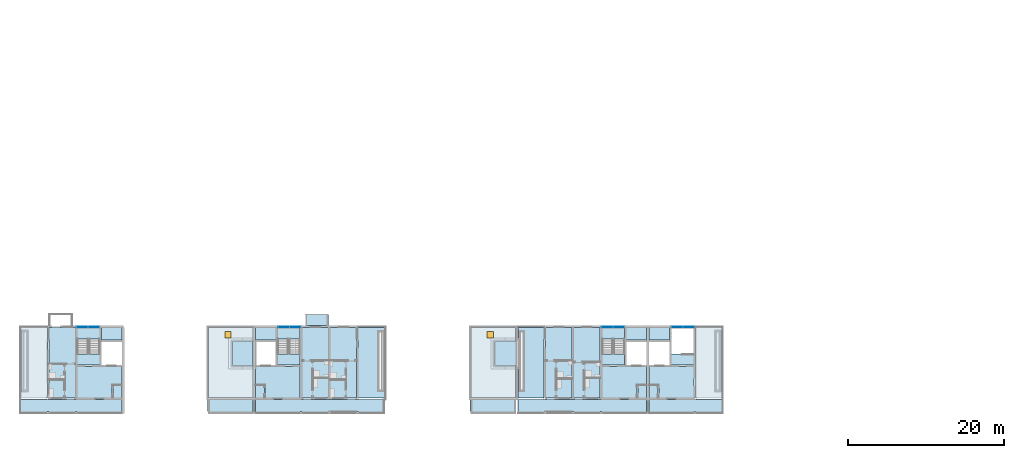
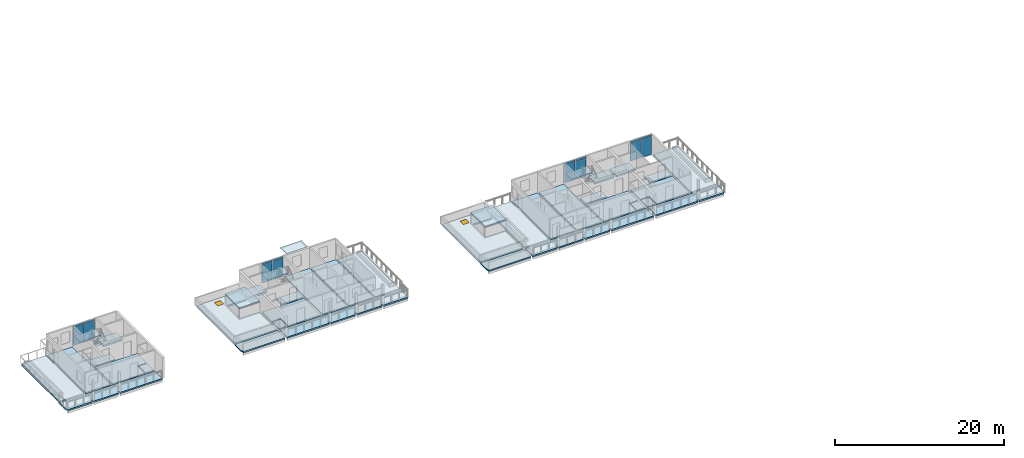
# One storey, part 15 of 41: 39 slabs, 16 plates, 2 doors, 2 openings, 7 elements without a shape of their own.
"""IFC4 building model written with IfcOpenShell, lengths in metres."""

from ifc_helpers import new_model, si_unit, direction, frame, origin, origin_2d, place, context, subcontext, project, spatial, polyline, rectangle, outline, extrude, material, layer, layer_set, type_object, element, fill, aggregate, save


model = new_model("IFC4")

# Units and contexts
model_context = context("Model", 3, precision=1e-05, world=origin(), true_north=direction((0.0, 1.0)))
body_context = subcontext(model_context, "Body", "Model", "MODEL_VIEW")
ifc_project = project(units=[si_unit("LENGTHUNIT", "METRE"), si_unit("AREAUNIT", "SQUARE_METRE"), si_unit("VOLUMEUNIT", "CUBIC_METRE"), si_unit("PLANEANGLEUNIT", "RADIAN"), si_unit("MASSUNIT", "GRAM", prefix="KILO")], contexts=[model_context])

# Site, building, storey
site_placement = place(None, origin())
site = spatial("IfcSite", under=ifc_project, at=site_placement, CompositionType="ELEMENT")
building_placement = place(site_placement, origin())
building = spatial("IfcBuilding", under=site, at=building_placement, Name="Ridgestep Commons", CompositionType="ELEMENT")
storey_placement = place(building_placement, frame((0.0, 0.0, 39.0)))
storey = spatial("IfcBuildingStorey", under=building, at=storey_placement, Name="L13", CompositionType="ELEMENT", Elevation=39.0)

# Slabs
ifc_material_1 = material(Name="Precast concrete C40/50", Category="concrete")
ifc_layer_1 = layer(ifc_material_1, 0.199951171875)
ifc_layer_set_1 = layer_set([ifc_layer_1], Name="Gallery roof slab 200")
slab_type_1 = type_object("IfcSlabType", Name="Gallery roof slab 200", PredefinedType="ROOF", material=ifc_layer_set_1)
slab_1_placement = place(storey_placement, frame((0.0, 0.0, -0.199951171875)))
element("IfcSlab", 1, at=slab_1_placement, inside=storey, type_object=slab_type_1, Name="Gallery slab A2 L13", PredefinedType="ROOF", context=body_context, shape_type="SweptSolid", body=[
    extrude(outline(polyline([(39.60009765625, 13.550048828125), (39.60009765625, 12.0), (39.72509765625, 12.0), (39.72509765625, 11.75), (45.449951171875, 11.75), (45.449951171875, 13.550048828125), (39.60009765625, 13.550048828125)])), origin(), (0.0, 0.0, 1.0), 0.199951171875),
])
slab_2_placement = place(storey_placement, frame((0.0, 0.0, -0.199951171875)))
element("IfcSlab", 2, at=slab_2_placement, inside=storey, type_object=slab_type_1, Name="Gallery slab A4 L13", PredefinedType="ROOF", context=body_context, shape_type="SweptSolid", body=[
    extrude(outline(polyline([(73.199951171875, 13.550048828125), (73.199951171875, 12.0), (73.324951171875, 12.0), (73.324951171875, 11.75), (79.050048828125, 11.75), (79.050048828125, 13.550048828125), (73.199951171875, 13.550048828125)])), origin(), (0.0, 0.0, 1.0), 0.199951171875),
])
ifc_material_2 = material(Name="Precast concrete C40/50", Category="concrete")
ifc_layer_2 = layer(ifc_material_2, 0.199951171875)
ifc_layer_set_2 = layer_set([ifc_layer_2], Name="Gallery slab 200")
slab_type_2 = type_object("IfcSlabType", Name="Gallery slab 200", PredefinedType="FLOOR", material=ifc_layer_set_2)
slab_3_placement = place(storey_placement, frame((0.0, 0.0, -0.199951171875)))
element("IfcSlab", 3, at=slab_3_placement, inside=storey, type_object=slab_type_2, Name="Gallery slab A1 L13", PredefinedType="FLOOR", context=body_context, shape_type="SweptSolid", body=[
    extrude(outline(polyline([(28.64990234375, 11.75), (28.64990234375, 13.550048828125), (15.60009765625, 13.550048828125), (15.60009765625, 12.0), (15.72509765625, 12.0), (15.72509765625, 11.75), (19.074951171875, 11.75), (19.074951171875, 12.0), (19.324951171875, 12.0), (19.324951171875, 11.75), (22.675048828125, 11.75), (22.675048828125, 12.0), (22.925048828125, 12.0), (22.925048828125, 11.75), (28.64990234375, 11.75)])), origin(), (0.0, 0.0, 1.0), 0.199951171875),
])
slab_4_placement = place(storey_placement, frame((0.0, 0.0, -0.199951171875)))
element("IfcSlab", 4, at=slab_4_placement, inside=storey, type_object=slab_type_2, Name="Gallery slab A3 L13", PredefinedType="FLOOR", context=body_context, shape_type="SweptSolid", body=[
    extrude(outline(polyline([(62.25, 13.550048828125), (45.75, 13.550048828125), (45.75, 11.75), (51.47509765625, 11.75), (51.47509765625, 12.0), (51.72509765625, 12.0), (51.72509765625, 11.75), (55.074951171875, 11.75), (55.074951171875, 12.0), (55.324951171875, 12.0), (55.324951171875, 11.75), (58.675048828125, 11.75), (58.675048828125, 12.0), (58.925048828125, 12.0), (58.925048828125, 11.75), (62.25, 11.75), (62.25, 13.550048828125)])), origin(), (0.0, 0.0, 1.0), 0.199951171875),
])
slab_5_placement = place(storey_placement, frame((0.0, 0.0, -0.199951171875)))
element("IfcSlab", 5, at=slab_5_placement, inside=storey, type_object=slab_type_2, Name="Gallery slab A5 L13", PredefinedType="FLOOR", context=body_context, shape_type="SweptSolid", body=[
    extrude(outline(polyline([(95.85009765625, 13.550048828125), (79.35009765625, 13.550048828125), (79.35009765625, 11.75), (82.675048828125, 11.75), (82.675048828125, 12.0), (82.925048828125, 12.0), (82.925048828125, 11.75), (86.27490234375, 11.75), (86.27490234375, 12.0), (86.52490234375, 12.0), (86.52490234375, 11.75), (89.875, 11.75), (89.875, 12.0), (90.125, 12.0), (90.125, 11.75), (95.85009765625, 11.75), (95.85009765625, 13.550048828125)])), origin(), (0.0, 0.0, 1.0), 0.199951171875),
])
slab_6_placement = place(storey_placement, frame((0.0, 0.0, -0.199951171875)))
element("IfcSlab", 6, at=slab_6_placement, inside=storey, type_object=slab_type_2, Name="Gallery slab A6 L13", PredefinedType="FLOOR", context=body_context, shape_type="SweptSolid", body=[
    extrude(outline(polyline([(96.14990234375, 13.550048828125), (96.14990234375, 11.75), (101.875, 11.75), (101.875, 12.0), (102.125, 12.0), (102.125, 11.75), (105.47509765625, 11.75), (105.47509765625, 12.0), (105.60009765625, 12.0), (105.60009765625, 13.550048828125), (96.14990234375, 13.550048828125)])), origin(), (0.0, 0.0, 1.0), 0.199951171875),
])

# Curtain wall, plates
ifc_material_3 = material(Name="Aluminium 6063-T6 and glass", Category="aluminium")
curtain_wall_type = type_object("IfcCurtainWallType", Name="Curtain wall stair strip", PredefinedType="NOTDEFINED", material=ifc_material_3)
curtain_wall_1_placement = place(storey_placement, origin())
curtain_wall_1 = element("IfcCurtainWall", 7, at=curtain_wall_1_placement, inside=storey, type_object=curtain_wall_type, Name="Curtain wall A1C level 13", PredefinedType="NOTDEFINED")
ifc_material_4 = material(Name="Glass laminated 6/16/6 low-emissivity", Category="glass")
ifc_layer_3 = layer(ifc_material_4, 0.028076171875)
ifc_layer_set_3 = layer_set([ifc_layer_3], Name="Glazing panel 28")
plate_type_1 = type_object("IfcPlateType", Name="Glazing panel 28", PredefinedType="CURTAIN_PANEL", material=ifc_layer_set_3)
plate_1_placement = place(storey_placement, frame((23.5712890625, 22.830078125, 0.06005859375), z_axis=(0.0, 0.0, 1.0), x_axis=(1.0, 0.0, 0.0)))
plate_1 = element("IfcPlate", 8, at=plate_1_placement, type_object=plate_type_1, Name="CW1 panel 1.1", PredefinedType="CURTAIN_PANEL", context=body_context, shape_type="SweptSolid", body=[
    extrude(rectangle(XDim=1.422607421875, YDim=0.028076171875, at=origin_2d()), origin(), (0.0, 0.0, 1.0), 2.5),
])
plate_2_placement = place(storey_placement, frame((25.0537109375, 22.830078125, 0.06005859375), z_axis=(0.0, 0.0, 1.0), x_axis=(1.0, 0.0, 0.0)))
plate_2 = element("IfcPlate", 9, at=plate_2_placement, type_object=plate_type_1, Name="CW1 panel 2.1", PredefinedType="CURTAIN_PANEL", context=body_context, shape_type="SweptSolid", body=[
    extrude(rectangle(XDim=1.422607421875, YDim=0.028076171875, at=origin_2d()), origin(), (0.0, 0.0, 1.0), 2.5),
])

curtain_wall_2_placement = place(storey_placement, origin())
curtain_wall_2 = element("IfcCurtainWall", 10, at=curtain_wall_2_placement, inside=storey, type_object=curtain_wall_type, Name="Curtain wall A3C level 13", PredefinedType="NOTDEFINED")
plate_3_placement = place(storey_placement, frame((49.34619140625, 22.830078125, 0.06005859375), z_axis=(0.0, 0.0, 1.0), x_axis=(1.0, 0.0, 0.0)))
plate_3 = element("IfcPlate", 11, at=plate_3_placement, type_object=plate_type_1, Name="CW1 panel 1.1", PredefinedType="CURTAIN_PANEL", context=body_context, shape_type="SweptSolid", body=[
    extrude(rectangle(XDim=1.422607421875, YDim=0.028076171875, at=origin_2d()), origin(), (0.0, 0.0, 1.0), 2.5),
])
plate_4_placement = place(storey_placement, frame((50.828857421875, 22.830078125, 0.06005859375), z_axis=(0.0, 0.0, 1.0), x_axis=(1.0, 0.0, 0.0)))
plate_4 = element("IfcPlate", 12, at=plate_4_placement, type_object=plate_type_1, Name="CW1 panel 2.1", PredefinedType="CURTAIN_PANEL", context=body_context, shape_type="SweptSolid", body=[
    extrude(rectangle(XDim=1.422607421875, YDim=0.028076171875, at=origin_2d()), origin(), (0.0, 0.0, 1.0), 2.5),
])

curtain_wall_3_placement = place(storey_placement, origin())
curtain_wall_3 = element("IfcCurtainWall", 13, at=curtain_wall_3_placement, inside=storey, type_object=curtain_wall_type, Name="Curtain wall A5C level 13", PredefinedType="NOTDEFINED")
plate_5_placement = place(storey_placement, frame((90.771240234375, 22.830078125, 0.06005859375), z_axis=(0.0, 0.0, 1.0), x_axis=(1.0, 0.0, 0.0)))
plate_5 = element("IfcPlate", 14, at=plate_5_placement, type_object=plate_type_1, Name="CW1 panel 1.1", PredefinedType="CURTAIN_PANEL", context=body_context, shape_type="SweptSolid", body=[
    extrude(rectangle(XDim=1.422607421875, YDim=0.028076171875, at=origin_2d()), origin(), (0.0, 0.0, 1.0), 2.5),
])
plate_6_placement = place(storey_placement, frame((92.253662109375, 22.830078125, 0.06005859375), z_axis=(0.0, 0.0, 1.0), x_axis=(1.0, 0.0, 0.0)))
plate_6 = element("IfcPlate", 15, at=plate_6_placement, type_object=plate_type_1, Name="CW1 panel 2.1", PredefinedType="CURTAIN_PANEL", context=body_context, shape_type="SweptSolid", body=[
    extrude(rectangle(XDim=1.422607421875, YDim=0.028076171875, at=origin_2d()), origin(), (0.0, 0.0, 1.0), 2.5),
])

curtain_wall_4_placement = place(storey_placement, origin())
curtain_wall_4 = element("IfcCurtainWall", 16, at=curtain_wall_4_placement, inside=storey, type_object=curtain_wall_type, Name="Curtain wall A6C level 13", PredefinedType="NOTDEFINED")
plate_7_placement = place(storey_placement, frame((99.746337890625, 22.830078125, 0.06005859375), z_axis=(0.0, 0.0, 1.0), x_axis=(1.0, 0.0, 0.0)))
plate_7 = element("IfcPlate", 17, at=plate_7_placement, type_object=plate_type_1, Name="CW1 panel 1.1", PredefinedType="CURTAIN_PANEL", context=body_context, shape_type="SweptSolid", body=[
    extrude(rectangle(XDim=1.422607421875, YDim=0.028076171875, at=origin_2d()), origin(), (0.0, 0.0, 1.0), 2.5),
])
plate_8_placement = place(storey_placement, frame((101.228759765625, 22.830078125, 0.06005859375), z_axis=(0.0, 0.0, 1.0), x_axis=(1.0, 0.0, 0.0)))
plate_8 = element("IfcPlate", 18, at=plate_8_placement, type_object=plate_type_1, Name="CW1 panel 2.1", PredefinedType="CURTAIN_PANEL", context=body_context, shape_type="SweptSolid", body=[
    extrude(rectangle(XDim=1.422607421875, YDim=0.028076171875, at=origin_2d()), origin(), (0.0, 0.0, 1.0), 2.5),
])

# Slabs
ifc_material_5 = material(Name="Precast concrete C50/60", Category="concrete")
ifc_layer_4 = layer(ifc_material_5, 0.199951171875)
ifc_layer_set_4 = layer_set([ifc_layer_4], Name="Hollow-core plank 200")
slab_type_3 = type_object("IfcSlabType", Name="Hollow-core plank 200", PredefinedType="FLOOR", material=ifc_layer_set_4)
slab_7_placement = place(storey_placement, frame((0.0, 0.0, -0.199951171875)))
element("IfcSlab", 19, at=slab_7_placement, inside=storey, type_object=slab_type_3, Name="Floor plank A1T3 L13", PredefinedType="FLOOR", context=body_context, shape_type="SweptSolid", body=[
    extrude(outline(polyline([(22.675048828125, 13.75), (22.675048828125, 22.75), (19.300048828125, 22.75), (19.300048828125, 13.75), (22.675048828125, 13.75)])), origin(), (0.0, 0.0, 1.0), 0.199951171875),
])
slab_8_placement = place(storey_placement, frame((0.0, 0.0, -0.199951171875)))
element("IfcSlab", 20, at=slab_8_placement, inside=storey, type_object=slab_type_3, Name="Floor plank A3T3 L13", PredefinedType="FLOOR", context=body_context, shape_type="SweptSolid", body=[
    extrude(outline(polyline([(55.10009765625, 13.75), (55.10009765625, 22.75), (51.72509765625, 22.75), (51.72509765625, 13.75), (55.10009765625, 13.75)])), origin(), (0.0, 0.0, 1.0), 0.199951171875),
])
slab_9_placement = place(storey_placement, frame((0.0, 0.0, -0.199951171875)))
element("IfcSlab", 21, at=slab_9_placement, inside=storey, type_object=slab_type_3, Name="Floor plank A3T2 L13", PredefinedType="FLOOR", context=body_context, shape_type="SweptSolid", body=[
    extrude(outline(polyline([(58.699951171875, 13.75), (58.699951171875, 22.75), (55.300048828125, 22.75), (55.300048828125, 13.75), (58.699951171875, 13.75)])), origin(), (0.0, 0.0, 1.0), 0.199951171875),
])
slab_10_placement = place(storey_placement, frame((0.0, 0.0, -0.199951171875)))
element("IfcSlab", 22, at=slab_10_placement, inside=storey, type_object=slab_type_3, Name="Floor plank A5T2 L13", PredefinedType="FLOOR", context=body_context, shape_type="SweptSolid", body=[
    extrude(outline(polyline([(86.300048828125, 13.75), (86.300048828125, 22.75), (82.89990234375, 22.75), (82.89990234375, 13.75), (86.300048828125, 13.75)])), origin(), (0.0, 0.0, 1.0), 0.199951171875),
])
slab_11_placement = place(storey_placement, frame((0.0, 0.0, -0.199951171875)))
element("IfcSlab", 23, at=slab_11_placement, inside=storey, type_object=slab_type_3, Name="Floor plank A5T3 L13", PredefinedType="FLOOR", context=body_context, shape_type="SweptSolid", body=[
    extrude(outline(polyline([(89.875, 13.75), (89.875, 22.75), (86.5, 22.75), (86.5, 13.75), (89.875, 13.75)])), origin(), (0.0, 0.0, 1.0), 0.199951171875),
])
ifc_material_6 = material(Name="Precast concrete C50/60", Category="concrete")
ifc_layer_5 = layer(ifc_material_6, 0.25)
ifc_layer_set_5 = layer_set([ifc_layer_5], Name="Hollow-core plank 250")
slab_type_4 = type_object("IfcSlabType", Name="Hollow-core plank 250", PredefinedType="FLOOR", material=ifc_layer_set_5)
slab_12_placement = place(storey_placement, frame((0.0, 0.0, -0.25)))
element("IfcSlab", 24, at=slab_12_placement, inside=storey, type_object=slab_type_4, Name="Floor plank A1C L13", PredefinedType="FLOOR", context=body_context, shape_type="SweptSolid", body=[
    extrude(outline(polyline([(27.52001953125, 15.469970703125), (28.64990234375, 15.469970703125), (28.64990234375, 17.75), (22.925048828125, 17.75), (22.925048828125, 13.75), (27.39990234375, 13.75), (27.39990234375, 15.469970703125), (27.52001953125, 15.469970703125)])), origin(), (0.0, 0.0, 1.0), 0.25),
])
slab_13_placement = place(storey_placement, frame((0.0, 0.0, -0.25)))
element("IfcSlab", 25, at=slab_13_placement, inside=storey, type_object=slab_type_4, Name="Floor plank A1C L13", PredefinedType="FLOOR", context=body_context, shape_type="SweptSolid", body=[
    extrude(outline(polyline([(28.64990234375, 21.14990234375), (28.64990234375, 22.75), (26.02490234375, 22.75), (26.02490234375, 21.14990234375), (28.64990234375, 21.14990234375)])), origin(), (0.0, 0.0, 1.0), 0.25),
])
slab_14_placement = place(storey_placement, frame((0.0, 0.0, -0.25)))
element("IfcSlab", 26, at=slab_14_placement, inside=storey, type_object=slab_type_4, Name="Floor plank A1C L13", PredefinedType="FLOOR", context=body_context, shape_type="SweptSolid", body=[
    extrude(outline(polyline([(25.824951171875, 17.949951171875), (25.824951171875, 19.35009765625), (22.925048828125, 19.35009765625), (22.925048828125, 17.949951171875), (25.824951171875, 17.949951171875)])), origin(), (0.0, 0.0, 1.0), 0.25),
])
slab_15_placement = place(storey_placement, frame((0.0, 0.0, -0.25)))
element("IfcSlab", 27, at=slab_15_placement, inside=storey, type_object=slab_type_4, Name="Floor plank A1C L13", PredefinedType="FLOOR", context=body_context, shape_type="SweptSolid", body=[
    extrude(outline(polyline([(27.52001953125, 13.75), (28.64990234375, 13.75), (28.64990234375, 15.35009765625), (27.52001953125, 15.35009765625), (27.52001953125, 13.75)])), origin(), (0.0, 0.0, 1.0), 0.25),
])
slab_16_placement = place(storey_placement, frame((0.0, 0.0, -0.25)))
element("IfcSlab", 28, at=slab_16_placement, inside=storey, type_object=slab_type_4, Name="Floor plank A3C L13", PredefinedType="FLOOR", context=body_context, shape_type="SweptSolid", body=[
    extrude(outline(polyline([(47.0, 13.75), (51.47509765625, 13.75), (51.47509765625, 17.75), (45.75, 17.75), (45.75, 15.469970703125), (46.8798828125, 15.469970703125), (47.0, 15.469970703125), (47.0, 13.75)])), origin(), (0.0, 0.0, 1.0), 0.25),
])
slab_17_placement = place(storey_placement, frame((0.0, 0.0, -0.25)))
element("IfcSlab", 29, at=slab_17_placement, inside=storey, type_object=slab_type_4, Name="Floor plank A3C L13", PredefinedType="FLOOR", context=body_context, shape_type="SweptSolid", body=[
    extrude(outline(polyline([(48.375, 22.75), (45.75, 22.75), (45.75, 21.14990234375), (48.375, 21.14990234375), (48.375, 22.75)])), origin(), (0.0, 0.0, 1.0), 0.25),
])
slab_18_placement = place(storey_placement, frame((0.0, 0.0, -0.25)))
element("IfcSlab", 30, at=slab_18_placement, inside=storey, type_object=slab_type_4, Name="Floor plank A3C L13", PredefinedType="FLOOR", context=body_context, shape_type="SweptSolid", body=[
    extrude(outline(polyline([(51.47509765625, 17.949951171875), (51.47509765625, 19.35009765625), (48.574951171875, 19.35009765625), (48.574951171875, 17.949951171875), (51.47509765625, 17.949951171875)])), origin(), (0.0, 0.0, 1.0), 0.25),
])
slab_19_placement = place(storey_placement, frame((0.0, 0.0, -0.25)))
element("IfcSlab", 31, at=slab_19_placement, inside=storey, type_object=slab_type_4, Name="Floor plank A3C L13", PredefinedType="FLOOR", context=body_context, shape_type="SweptSolid", body=[
    extrude(outline(polyline([(46.8798828125, 15.35009765625), (45.75, 15.35009765625), (45.75, 13.75), (46.8798828125, 13.75), (46.8798828125, 15.35009765625)])), origin(), (0.0, 0.0, 1.0), 0.25),
])
slab_20_placement = place(storey_placement, frame((0.0, 0.0, -0.25)))
element("IfcSlab", 32, at=slab_20_placement, inside=storey, type_object=slab_type_4, Name="Floor plank A5C L13", PredefinedType="FLOOR", context=body_context, shape_type="SweptSolid", body=[
    extrude(outline(polyline([(94.719970703125, 15.469970703125), (95.85009765625, 15.469970703125), (95.85009765625, 17.75), (90.125, 17.75), (90.125, 13.75), (94.60009765625, 13.75), (94.60009765625, 15.469970703125), (94.719970703125, 15.469970703125)])), origin(), (0.0, 0.0, 1.0), 0.25),
])
slab_21_placement = place(storey_placement, frame((0.0, 0.0, -0.25)))
element("IfcSlab", 33, at=slab_21_placement, inside=storey, type_object=slab_type_4, Name="Floor plank A5C L13", PredefinedType="FLOOR", context=body_context, shape_type="SweptSolid", body=[
    extrude(outline(polyline([(95.85009765625, 21.14990234375), (95.85009765625, 22.75), (93.22509765625, 22.75), (93.22509765625, 21.14990234375), (95.85009765625, 21.14990234375)])), origin(), (0.0, 0.0, 1.0), 0.25),
])
slab_22_placement = place(storey_placement, frame((0.0, 0.0, -0.25)))
element("IfcSlab", 34, at=slab_22_placement, inside=storey, type_object=slab_type_4, Name="Floor plank A5C L13", PredefinedType="FLOOR", context=body_context, shape_type="SweptSolid", body=[
    extrude(outline(polyline([(93.02490234375, 17.949951171875), (93.02490234375, 19.35009765625), (90.125, 19.35009765625), (90.125, 17.949951171875), (93.02490234375, 17.949951171875)])), origin(), (0.0, 0.0, 1.0), 0.25),
])
slab_23_placement = place(storey_placement, frame((0.0, 0.0, -0.25)))
element("IfcSlab", 35, at=slab_23_placement, inside=storey, type_object=slab_type_4, Name="Floor plank A5C L13", PredefinedType="FLOOR", context=body_context, shape_type="SweptSolid", body=[
    extrude(outline(polyline([(94.719970703125, 13.75), (95.85009765625, 13.75), (95.85009765625, 15.35009765625), (94.719970703125, 15.35009765625), (94.719970703125, 13.75)])), origin(), (0.0, 0.0, 1.0), 0.25),
])
slab_24_placement = place(storey_placement, frame((0.0, 0.0, -0.25)))
element("IfcSlab", 36, at=slab_24_placement, inside=storey, type_object=slab_type_4, Name="Floor plank A6C L13", PredefinedType="FLOOR", context=body_context, shape_type="SweptSolid", body=[
    extrude(outline(polyline([(97.39990234375, 13.75), (101.875, 13.75), (101.875, 17.75), (96.14990234375, 17.75), (96.14990234375, 15.469970703125), (97.280029296875, 15.469970703125), (97.39990234375, 15.469970703125), (97.39990234375, 13.75)])), origin(), (0.0, 0.0, 1.0), 0.25),
])
slab_25_placement = place(storey_placement, frame((0.0, 0.0, -0.25)))
element("IfcSlab", 37, at=slab_25_placement, inside=storey, type_object=slab_type_4, Name="Floor plank A6C L13", PredefinedType="FLOOR", context=body_context, shape_type="SweptSolid", body=[
    extrude(outline(polyline([(98.77490234375, 22.75), (96.14990234375, 22.75), (96.14990234375, 21.14990234375), (98.77490234375, 21.14990234375), (98.77490234375, 22.75)])), origin(), (0.0, 0.0, 1.0), 0.25),
])
slab_26_placement = place(storey_placement, frame((0.0, 0.0, -0.25)))
element("IfcSlab", 38, at=slab_26_placement, inside=storey, type_object=slab_type_4, Name="Floor plank A6C L13", PredefinedType="FLOOR", context=body_context, shape_type="SweptSolid", body=[
    extrude(outline(polyline([(101.875, 17.949951171875), (101.875, 19.35009765625), (98.97509765625, 19.35009765625), (98.97509765625, 17.949951171875), (101.875, 17.949951171875)])), origin(), (0.0, 0.0, 1.0), 0.25),
])
slab_27_placement = place(storey_placement, frame((0.0, 0.0, -0.25)))
element("IfcSlab", 39, at=slab_27_placement, inside=storey, type_object=slab_type_4, Name="Floor plank A6C L13", PredefinedType="FLOOR", context=body_context, shape_type="SweptSolid", body=[
    extrude(outline(polyline([(97.280029296875, 15.35009765625), (96.14990234375, 15.35009765625), (96.14990234375, 13.75), (97.280029296875, 13.75), (97.280029296875, 15.35009765625)])), origin(), (0.0, 0.0, 1.0), 0.25),
])
ifc_material_7 = material(Name="Precast concrete C50/60", Category="concrete")
ifc_layer_6 = layer(ifc_material_7, 0.199951171875)
ifc_layer_set_6 = layer_set([ifc_layer_6], Name="Overrun roof 200")
slab_type_5 = type_object("IfcSlabType", Name="Overrun roof 200", PredefinedType="ROOF", material=ifc_layer_set_6)
slab_28_placement = place(storey_placement, frame((0.0, 0.0, 1.5)))
element("IfcSlab", 40, at=slab_28_placement, inside=storey, type_object=slab_type_5, Name="Lift overrun roof A2C", PredefinedType="ROOF", context=body_context, shape_type="SweptSolid", body=[
    extrude(outline(polyline([(42.625, 17.75), (45.449951171875, 17.75), (45.449951171875, 21.14990234375), (42.625, 21.14990234375), (42.625, 17.75)])), origin(), (0.0, 0.0, 1.0), 0.199951171875),
])
slab_29_placement = place(storey_placement, frame((0.0, 0.0, 1.5)))
element("IfcSlab", 41, at=slab_29_placement, inside=storey, type_object=slab_type_5, Name="Lift overrun roof A4C", PredefinedType="ROOF", context=body_context, shape_type="SweptSolid", body=[
    extrude(outline(polyline([(79.199951171875, 17.75), (79.199951171875, 21.14990234375), (76.22509765625, 21.14990234375), (76.22509765625, 17.75), (79.199951171875, 17.75)])), origin(), (0.0, 0.0, 1.0), 0.199951171875),
])
ifc_material_8 = material(Name="Precast concrete C50/60", Category="concrete")
ifc_layer_7 = layer(ifc_material_8, 0.25)
ifc_layer_set_7 = layer_set([ifc_layer_7], Name="Roof slab 250")
slab_type_6 = type_object("IfcSlabType", Name="Roof slab 250", PredefinedType="ROOF", material=ifc_layer_set_7)
slab_30_placement = place(storey_placement, frame((0.0, 0.0, -0.25)))
element("IfcSlab", 42, at=slab_30_placement, inside=storey, type_object=slab_type_6, Name="Terrace slab A1T2", PredefinedType="ROOF", context=body_context, shape_type="SweptSolid", body=[
    extrude(outline(polyline([(19.10009765625, 13.75), (19.10009765625, 22.75), (15.699951171875, 22.75), (15.699951171875, 13.75), (19.10009765625, 13.75)])), origin(), (0.0, 0.0, 1.0), 0.25),
])

# Slab, opening, door
slab_31_placement = place(storey_placement, frame((0.0, 0.0, -0.25)))
slab_31 = element("IfcSlab", 43, at=slab_31_placement, inside=storey, type_object=slab_type_6, Name="Roof slab A2C", PredefinedType="ROOF", context=body_context, shape_type="SweptSolid", body=[
    extrude(outline(polyline([(45.449951171875, 13.75), (45.449951171875, 17.949951171875), (42.824951171875, 17.949951171875), (42.824951171875, 20.949951171875), (45.449951171875, 20.949951171875), (45.449951171875, 22.75), (39.72509765625, 22.75), (39.72509765625, 13.75), (45.449951171875, 13.75)])), origin(), (0.0, 0.0, 1.0), 0.25),
])
opening_1_placement = place(slab_31_placement, frame((42.22509765625, 21.85009765625, 0.0)))
opening_1 = element("IfcOpeningElement", 44, at=opening_1_placement, cuts=slab_31, Name="Opening A2C/RF/1", PredefinedType="OPENING", context=body_context, shape_type="SweptSolid", body=[
    extrude(rectangle(XDim=0.800048828125, YDim=0.800048828125, at=origin_2d()), origin(), (0.0, 0.0, 1.0), 0.25),
])
ifc_material_9 = material(Name="Steel", Category="steel")
door_type = type_object("IfcDoorType", Name="Ladder roof hatch 800 x 800", OperationType="SINGLE_SWING_LEFT", PredefinedType="TRAPDOOR", material=ifc_material_9)
door_1_placement = place(opening_1_placement, frame((0.0, 0.0, 0.199951171875)))
door_1 = element("IfcDoor", 45, at=door_1_placement, inside=storey, type_object=door_type, Name="Roof hatch A2C", OperationType="SINGLE_SWING_LEFT", OverallHeight=0.800048828125, OverallWidth=0.800048828125, PredefinedType="TRAPDOOR", context=body_context, shape_type="SweptSolid", body=[
    extrude(rectangle(XDim=0.800048828125, YDim=0.800048828125, at=origin_2d()), origin(), (0.0, 0.0, 1.0), 0.050048828125),
])
fill(opening_1, door_1)

# Slab
slab_32_placement = place(storey_placement, frame((0.0, 0.0, -0.25)))
element("IfcSlab", 46, at=slab_32_placement, inside=storey, type_object=slab_type_6, Name="Terrace slab A3T1", PredefinedType="ROOF", context=body_context, shape_type="SweptSolid", body=[
    extrude(outline(polyline([(62.25, 13.75), (62.25, 22.75), (58.89990234375, 22.75), (58.89990234375, 13.75), (62.25, 13.75)])), origin(), (0.0, 0.0, 1.0), 0.25),
])

# Slab, opening, door
slab_33_placement = place(storey_placement, frame((0.0, 0.0, -0.25)))
slab_33 = element("IfcSlab", 47, at=slab_33_placement, inside=storey, type_object=slab_type_6, Name="Roof slab A4C", PredefinedType="ROOF", context=body_context, shape_type="SweptSolid", body=[
    extrude(outline(polyline([(79.050048828125, 13.75), (79.050048828125, 17.949951171875), (76.425048828125, 17.949951171875), (76.425048828125, 20.949951171875), (79.050048828125, 20.949951171875), (79.050048828125, 22.75), (73.324951171875, 22.75), (73.324951171875, 13.75), (79.050048828125, 13.75)])), origin(), (0.0, 0.0, 1.0), 0.25),
])
opening_2_placement = place(slab_33_placement, frame((75.824951171875, 21.85009765625, 0.0)))
opening_2 = element("IfcOpeningElement", 48, at=opening_2_placement, cuts=slab_33, Name="Opening A4C/RF/1", PredefinedType="OPENING", context=body_context, shape_type="SweptSolid", body=[
    extrude(rectangle(XDim=0.800048828125, YDim=0.800048828125, at=origin_2d()), origin(), (0.0, 0.0, 1.0), 0.25),
])
door_2_placement = place(opening_2_placement, frame((0.0, 0.0, 0.199951171875)))
door_2 = element("IfcDoor", 49, at=door_2_placement, inside=storey, type_object=door_type, Name="Roof hatch A4C", OperationType="SINGLE_SWING_LEFT", OverallHeight=0.800048828125, OverallWidth=0.800048828125, PredefinedType="TRAPDOOR", context=body_context, shape_type="SweptSolid", body=[
    extrude(rectangle(XDim=0.800048828125, YDim=0.800048828125, at=origin_2d()), origin(), (0.0, 0.0, 1.0), 0.050048828125),
])
fill(opening_2, door_2)

# Slabs
slab_34_placement = place(storey_placement, frame((0.0, 0.0, -0.25)))
element("IfcSlab", 50, at=slab_34_placement, inside=storey, type_object=slab_type_6, Name="Terrace slab A5T1", PredefinedType="ROOF", context=body_context, shape_type="SweptSolid", body=[
    extrude(outline(polyline([(82.699951171875, 13.75), (82.699951171875, 22.75), (79.35009765625, 22.75), (79.35009765625, 13.75), (82.699951171875, 13.75)])), origin(), (0.0, 0.0, 1.0), 0.25),
])
slab_35_placement = place(storey_placement, frame((0.0, 0.0, -0.25)))
element("IfcSlab", 51, at=slab_35_placement, inside=storey, type_object=slab_type_6, Name="Terrace slab A6T3", PredefinedType="ROOF", context=body_context, shape_type="SweptSolid", body=[
    extrude(outline(polyline([(105.5, 13.75), (105.5, 22.75), (102.125, 22.75), (102.125, 13.75), (105.5, 13.75)])), origin(), (0.0, 0.0, 1.0), 0.25),
])

# Plate
ifc_material_10 = material(Name="Aluminium 6063-T6 and mineral wool", Category="aluminium")
ifc_layer_8 = layer(ifc_material_10, 0.0400390625)
ifc_layer_set_8 = layer_set([ifc_layer_8], Name="Spandrel panel 40")
plate_type_2 = type_object("IfcPlateType", Name="Spandrel panel 40", PredefinedType="CURTAIN_PANEL", material=ifc_layer_set_8)
plate_9_placement = place(storey_placement, frame((23.5712890625, 22.830078125, 2.6201171875), z_axis=(0.0, 0.0, 1.0), x_axis=(1.0, 0.0, 0.0)))
plate_9 = element("IfcPlate", 52, at=plate_9_placement, type_object=plate_type_2, Name="CW1 panel 1.2", PredefinedType="CURTAIN_PANEL", context=body_context, shape_type="SweptSolid", body=[
    extrude(rectangle(XDim=1.422607421875, YDim=0.0400390625, at=origin_2d()), origin(), (0.0, 0.0, 1.0), 0.320068359375),
])

plate_10_placement = place(storey_placement, frame((25.0537109375, 22.830078125, 2.6201171875), z_axis=(0.0, 0.0, 1.0), x_axis=(1.0, 0.0, 0.0)))
plate_10 = element("IfcPlate", 53, at=plate_10_placement, type_object=plate_type_2, Name="CW1 panel 2.2", PredefinedType="CURTAIN_PANEL", context=body_context, shape_type="SweptSolid", body=[
    extrude(rectangle(XDim=1.422607421875, YDim=0.0400390625, at=origin_2d()), origin(), (0.0, 0.0, 1.0), 0.320068359375),
])

aggregate(curtain_wall_1, [plate_1, plate_9, plate_2, plate_10])

plate_11_placement = place(storey_placement, frame((49.34619140625, 22.830078125, 2.6201171875), z_axis=(0.0, 0.0, 1.0), x_axis=(1.0, 0.0, 0.0)))
plate_11 = element("IfcPlate", 54, at=plate_11_placement, type_object=plate_type_2, Name="CW1 panel 1.2", PredefinedType="CURTAIN_PANEL", context=body_context, shape_type="SweptSolid", body=[
    extrude(rectangle(XDim=1.422607421875, YDim=0.0400390625, at=origin_2d()), origin(), (0.0, 0.0, 1.0), 0.320068359375),
])

plate_12_placement = place(storey_placement, frame((50.828857421875, 22.830078125, 2.6201171875), z_axis=(0.0, 0.0, 1.0), x_axis=(1.0, 0.0, 0.0)))
plate_12 = element("IfcPlate", 55, at=plate_12_placement, type_object=plate_type_2, Name="CW1 panel 2.2", PredefinedType="CURTAIN_PANEL", context=body_context, shape_type="SweptSolid", body=[
    extrude(rectangle(XDim=1.422607421875, YDim=0.0400390625, at=origin_2d()), origin(), (0.0, 0.0, 1.0), 0.320068359375),
])

aggregate(curtain_wall_2, [plate_3, plate_11, plate_4, plate_12])

plate_13_placement = place(storey_placement, frame((90.771240234375, 22.830078125, 2.6201171875), z_axis=(0.0, 0.0, 1.0), x_axis=(1.0, 0.0, 0.0)))
plate_13 = element("IfcPlate", 56, at=plate_13_placement, type_object=plate_type_2, Name="CW1 panel 1.2", PredefinedType="CURTAIN_PANEL", context=body_context, shape_type="SweptSolid", body=[
    extrude(rectangle(XDim=1.422607421875, YDim=0.0400390625, at=origin_2d()), origin(), (0.0, 0.0, 1.0), 0.320068359375),
])

plate_14_placement = place(storey_placement, frame((92.253662109375, 22.830078125, 2.6201171875), z_axis=(0.0, 0.0, 1.0), x_axis=(1.0, 0.0, 0.0)))
plate_14 = element("IfcPlate", 57, at=plate_14_placement, type_object=plate_type_2, Name="CW1 panel 2.2", PredefinedType="CURTAIN_PANEL", context=body_context, shape_type="SweptSolid", body=[
    extrude(rectangle(XDim=1.422607421875, YDim=0.0400390625, at=origin_2d()), origin(), (0.0, 0.0, 1.0), 0.320068359375),
])

aggregate(curtain_wall_3, [plate_5, plate_13, plate_6, plate_14])

plate_15_placement = place(storey_placement, frame((99.746337890625, 22.830078125, 2.6201171875), z_axis=(0.0, 0.0, 1.0), x_axis=(1.0, 0.0, 0.0)))
plate_15 = element("IfcPlate", 58, at=plate_15_placement, type_object=plate_type_2, Name="CW1 panel 1.2", PredefinedType="CURTAIN_PANEL", context=body_context, shape_type="SweptSolid", body=[
    extrude(rectangle(XDim=1.422607421875, YDim=0.0400390625, at=origin_2d()), origin(), (0.0, 0.0, 1.0), 0.320068359375),
])

plate_16_placement = place(storey_placement, frame((101.228759765625, 22.830078125, 2.6201171875), z_axis=(0.0, 0.0, 1.0), x_axis=(1.0, 0.0, 0.0)))
plate_16 = element("IfcPlate", 59, at=plate_16_placement, type_object=plate_type_2, Name="CW1 panel 2.2", PredefinedType="CURTAIN_PANEL", context=body_context, shape_type="SweptSolid", body=[
    extrude(rectangle(XDim=1.422607421875, YDim=0.0400390625, at=origin_2d()), origin(), (0.0, 0.0, 1.0), 0.320068359375),
])

aggregate(curtain_wall_4, [plate_7, plate_15, plate_8, plate_16])

# Stair, slab
ifc_material_11 = material(Name="Precast concrete C40/50", Category="concrete")
stair_type = type_object("IfcStairType", Name="Escape stair 1400", PredefinedType="HALF_TURN_STAIR", material=ifc_material_11)
stair_1_placement = place(storey_placement, origin())
stair_1 = element("IfcStair", 60, at=stair_1_placement, inside=storey, type_object=stair_type, Name="L13 Escape stair A1C", PredefinedType="HALF_TURN_STAIR")
ifc_material_12 = material(Name="Precast concrete C40/50", Category="concrete")
ifc_layer_9 = layer(ifc_material_12, 0.199951171875)
ifc_layer_set_9 = layer_set([ifc_layer_9], Name="Stair landing 200")
slab_type_7 = type_object("IfcSlabType", Name="Stair landing 200", PredefinedType="LANDING", material=ifc_layer_set_9)
slab_36_placement = place(storey_placement, frame((0.0, 0.0, 1.300048828125)))
slab_36 = element("IfcSlab", 61, at=slab_36_placement, type_object=slab_type_7, Name="A1C landing 1", PredefinedType="LANDING", context=body_context, shape_type="SweptSolid", body=[
    extrude(outline(polyline([(25.824951171875, 21.31005859375), (25.824951171875, 22.75), (22.925048828125, 22.75), (22.925048828125, 21.31005859375), (25.824951171875, 21.31005859375)])), origin(), (0.0, 0.0, 1.0), 0.199951171875),
])
aggregate(stair_1, [slab_36])

stair_2_placement = place(storey_placement, origin())
stair_2 = element("IfcStair", 62, at=stair_2_placement, inside=storey, type_object=stair_type, Name="L13 Escape stair A3C", PredefinedType="HALF_TURN_STAIR")
slab_37_placement = place(storey_placement, frame((0.0, 0.0, 1.300048828125)))
slab_37 = element("IfcSlab", 63, at=slab_37_placement, type_object=slab_type_7, Name="A3C landing 1", PredefinedType="LANDING", context=body_context, shape_type="SweptSolid", body=[
    extrude(outline(polyline([(51.47509765625, 21.31005859375), (51.47509765625, 22.75), (48.574951171875, 22.75), (48.574951171875, 21.31005859375), (51.47509765625, 21.31005859375)])), origin(), (0.0, 0.0, 1.0), 0.199951171875),
])
aggregate(stair_2, [slab_37])

stair_3_placement = place(storey_placement, origin())
stair_3 = element("IfcStair", 64, at=stair_3_placement, inside=storey, type_object=stair_type, Name="L13 Escape stair A5C", PredefinedType="HALF_TURN_STAIR")
slab_38_placement = place(storey_placement, frame((0.0, 0.0, 1.300048828125)))
slab_38 = element("IfcSlab", 65, at=slab_38_placement, type_object=slab_type_7, Name="A5C landing 1", PredefinedType="LANDING", context=body_context, shape_type="SweptSolid", body=[
    extrude(outline(polyline([(93.02490234375, 21.31005859375), (93.02490234375, 22.75), (90.125, 22.75), (90.125, 21.31005859375), (93.02490234375, 21.31005859375)])), origin(), (0.0, 0.0, 1.0), 0.199951171875),
])
aggregate(stair_3, [slab_38])

# Slab
ifc_material_13 = material(Name="Weathering steel S355J2W", Category="steel")
ifc_layer_10 = layer(ifc_material_13, 0.010009765625)
ifc_layer_set_10 = layer_set([ifc_layer_10], Name="Tray 3.0 x 1.5")
slab_type_8 = type_object("IfcSlabType", Name="Tray 3.0 x 1.5", PredefinedType="FLOOR", material=ifc_layer_set_10)
slab_39_placement = place(storey_placement, frame((0.0, 0.0, 2.989990234375)))
element("IfcSlab", 66, at=slab_39_placement, inside=storey, type_object=slab_type_8, Name="Tray deck A3T3-14", PredefinedType="FLOOR", context=body_context, shape_type="SweptSolid", body=[
    extrude(outline(polyline([(52.1298828125, 23.0), (55.070068359375, 23.0), (55.070068359375, 24.5), (52.1298828125, 24.5), (52.1298828125, 23.0)])), origin(), (0.0, 0.0, 1.0), 0.010009765625),
])

save(model, "model.ifc")
